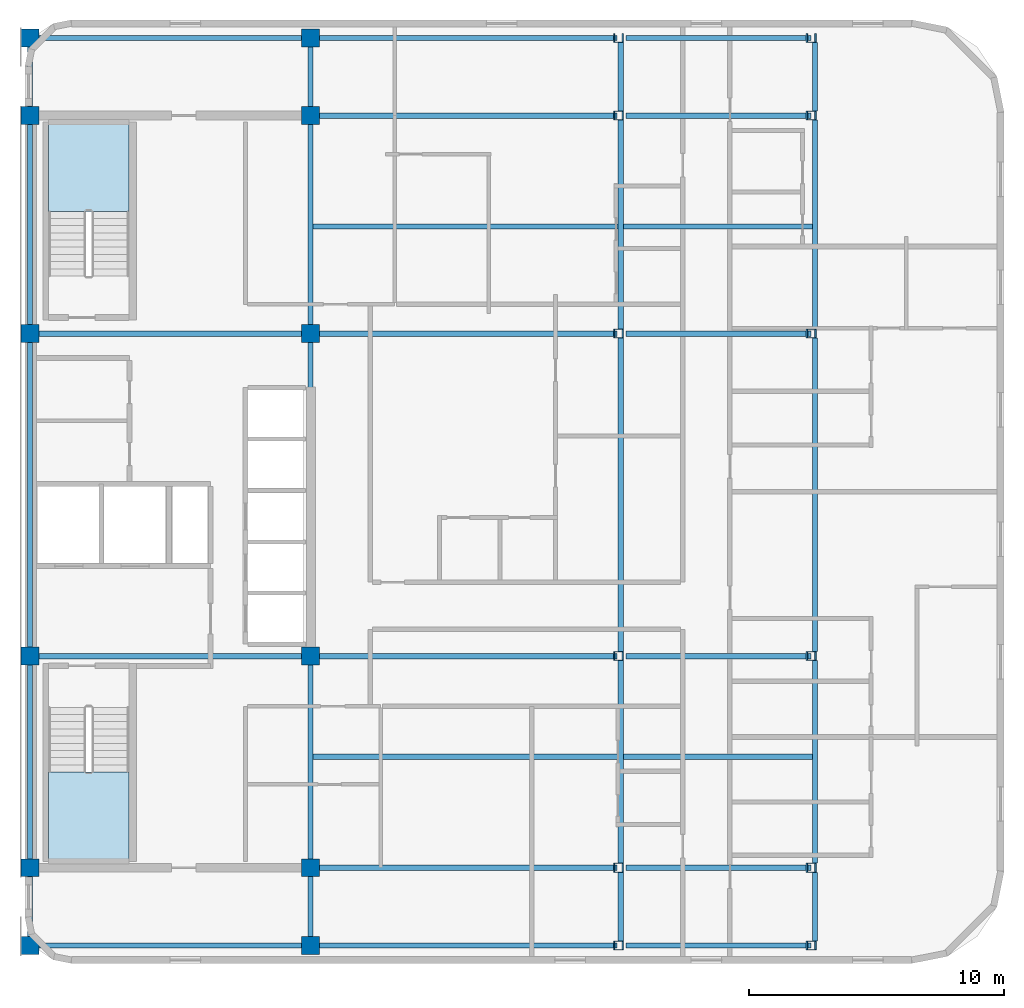
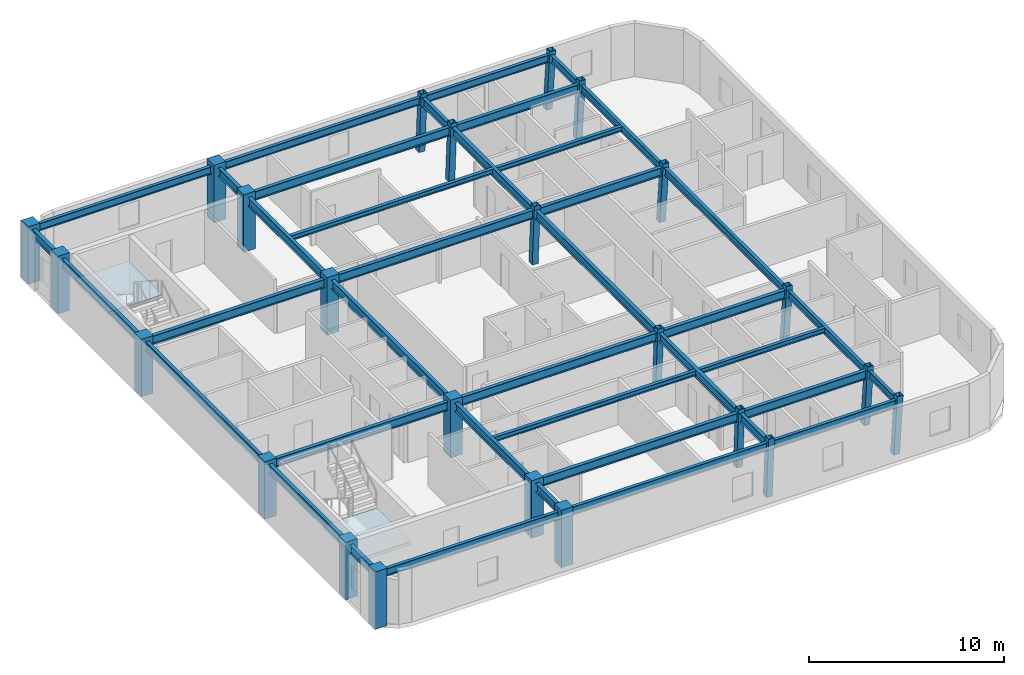
# One storey, part 1 of 7: 40 beams, 24 columns, 2 slabs, 2 elements without a shape of their own.
"""IFC4 building model written with IfcOpenShell, lengths in metres."""

from ifc_helpers import new_model, si_unit, direction, frame, origin, origin_2d, place, context, subcontext, project, spatial, polyline, rectangle, hollow_rectangle, i_section, outline, extrude, material, layer, layer_set, material_profile, profile_set, type_object, element, aggregate, save


model = new_model("IFC4")

# Units and contexts
model_context = context("Model", 3, precision=1e-05, world=origin(), true_north=direction((0.0, 1.0)))
body_context = subcontext(model_context, "Body", "Model", "MODEL_VIEW")
ifc_project = project(units=[si_unit("LENGTHUNIT", "METRE"), si_unit("AREAUNIT", "SQUARE_METRE"), si_unit("VOLUMEUNIT", "CUBIC_METRE"), si_unit("PLANEANGLEUNIT", "RADIAN"), si_unit("MASSUNIT", "GRAM", prefix="KILO")], contexts=[model_context])

# Site, building, storey
site_placement = place(None, origin())
site = spatial("IfcSite", under=ifc_project, at=site_placement, CompositionType="ELEMENT")
building_placement = place(site_placement, origin())
building = spatial("IfcBuilding", under=site, at=building_placement, Name="Ochreholt Gables", CompositionType="ELEMENT")
storey_placement = place(building_placement, frame((0.0, 0.0, 209.39990234375)))
storey = spatial("IfcBuildingStorey", under=building, at=storey_placement, Name="L54", CompositionType="ELEMENT", Elevation=209.39990234375)

# Columns
ifc_material_1 = material(Name="Steel CSA G40.21 350W", Category="steel")
ifc_material_profile_1 = material_profile(ifc_material_1, hollow_rectangle(XDim=0.35595703125, YDim=0.35595703125, WallThickness=0.01611328125, at=origin_2d()), Name="HSS356X356X16")
ifc_profile_set_1 = profile_set([ifc_material_profile_1], Name="Steel CSA G40.21 350W")
column_type_1 = type_object("IfcColumnType", Name="COL-HSS356-RAK", PredefinedType="COLUMN", material=ifc_profile_set_1)
for number, where, z_axis, x_axis, name in (
    (1, (47.264892578125, 9.25, 0.0), (0.035038826602, 0.0, 0.999385951788), (0.0, 1.0, 0.0), "L54 Column EMY2"),
    (2, (47.264892578125, 17.550048828125, 0.0), (0.035038826602, 0.0, 0.999385951788), (0.0, 1.0, 0.0), "L54 Column EMY3"),
    (3, (47.264892578125, 30.199951171875, 0.0), (0.035038826602, 0.0, 0.999385951788), (0.0, 1.0, 0.0), "L54 Column EMY4"),
    (4, (47.264892578125, 38.75, 0.0), (0.035038826602, 0.0, 0.999385951788), (0.0, 1.0, 0.0), "L54 Column EMY5"),
):
    element("IfcColumn", number, at=place(storey_placement, frame(where, z_axis=z_axis, x_axis=x_axis)), inside=storey, type_object=column_type_1, Name=name, PredefinedType="COLUMN", context=body_context, shape_type="SweptSolid", body=[
        extrude(hollow_rectangle(XDim=0.35595703125, YDim=0.35595703125, WallThickness=0.01611328125, at=origin_2d()), origin(), (0.0, 0.0, 1.0), 3.602294921875),
    ])
ifc_material_profile_2 = material_profile(ifc_material_1, hollow_rectangle(XDim=0.35595703125, YDim=0.35595703125, WallThickness=0.01611328125, at=origin_2d()), Name="HSS356X356X16")
ifc_profile_set_2 = profile_set([ifc_material_profile_2], Name="Steel CSA G40.21 350W")
column_type_2 = type_object("IfcColumnType", Name="COL-HSS356-RAKE", PredefinedType="COLUMN", material=ifc_profile_set_2)
for number, where, z_axis, x_axis, name in (
    (5, (47.264892578125, 6.199951171875, 0.0), (0.035038826602, 0.0, 0.999385951788), (0.0, 1.0, 0.0), "L54 Column EMY1"),
    (6, (47.264892578125, 41.800048828125, 0.0), (0.035038826602, 0.0, 0.999385951788), (0.0, 1.0, 0.0), "L54 Column EMY6"),
):
    element("IfcColumn", number, at=place(storey_placement, frame(where, z_axis=z_axis, x_axis=x_axis)), inside=storey, type_object=column_type_2, Name=name, PredefinedType="COLUMN", context=body_context, shape_type="SweptSolid", body=[
        extrude(hollow_rectangle(XDim=0.35595703125, YDim=0.35595703125, WallThickness=0.01611328125, at=origin_2d()), origin(), (0.0, 0.0, 1.0), 3.602294921875),
    ])
for number, where, z_axis, x_axis, name in (
    (7, (54.802001953125, 6.199951171875, 0.0), (0.057884606321, 0.0, 0.998323280481), (0.0, 1.0, 0.0), "L54 Column EEY1"),
    (8, (54.802001953125, 9.25, 0.0), (0.057884606321, 0.0, 0.998323280481), (0.0, 1.0, 0.0), "L54 Column EEY2"),
    (9, (54.802001953125, 17.550048828125, 0.0), (0.057884606321, 0.0, 0.998323280481), (0.0, 1.0, 0.0), "L54 Column EEY3"),
    (10, (54.802001953125, 30.199951171875, 0.0), (0.057884606321, 0.0, 0.998323280481), (0.0, 1.0, 0.0), "L54 Column EEY4"),
    (11, (54.802001953125, 38.75, 0.0), (0.057884606321, 0.0, 0.998323280481), (0.0, 1.0, 0.0), "L54 Column EEY5"),
    (12, (54.802001953125, 41.800048828125, 0.0), (0.057884606321, 0.0, 0.998323280481), (0.0, 1.0, 0.0), "L54 Column EEY6"),
):
    element("IfcColumn", number, at=place(storey_placement, frame(where, z_axis=z_axis, x_axis=x_axis)), inside=storey, type_object=column_type_2, Name=name, PredefinedType="COLUMN", context=body_context, shape_type="SweptSolid", body=[
        extrude(hollow_rectangle(XDim=0.35595703125, YDim=0.35595703125, WallThickness=0.01611328125, at=origin_2d()), origin(), (0.0, 0.0, 1.0), 3.606201171875),
    ])
ifc_material_2 = material(Name="Concrete 50 MPa", Category="concrete")
ifc_material_profile_3 = material_profile(ifc_material_2, rectangle(XDim=0.699951171875, YDim=0.699951171875, at=origin_2d()), Name="RC700X700")
ifc_profile_set_3 = profile_set([ifc_material_profile_3], Name="Concrete 50 MPa")
column_type_3 = type_object("IfcColumnType", Name="COL-RC700-EXT", PredefinedType="COLUMN", material=ifc_profile_set_3)
for number, where, z_axis, x_axis, name in (
    (13, (24.199951171875, 6.199951171875, 0.0), (0.0, 0.0, 1.0), (1.0, 0.0, 0.0), "L54 Column C1Y1"),
    (14, (24.199951171875, 9.25, 0.0), (0.0, 0.0, 1.0), (1.0, 0.0, 0.0), "L54 Column C1Y2"),
    (15, (24.199951171875, 17.550048828125, 0.0), (0.0, 0.0, 1.0), (1.0, 0.0, 0.0), "L54 Column C1Y3"),
    (16, (24.199951171875, 30.199951171875, 0.0), (0.0, 0.0, 1.0), (1.0, 0.0, 0.0), "L54 Column C1Y4"),
    (17, (24.199951171875, 38.75, 0.0), (0.0, 0.0, 1.0), (1.0, 0.0, 0.0), "L54 Column C1Y5"),
    (18, (24.199951171875, 41.800048828125, 0.0), (0.0, 0.0, 1.0), (1.0, 0.0, 0.0), "L54 Column C1Y6"),
    (19, (35.199951171875, 6.199951171875, 0.0), (0.0, 0.0, 1.0), (1.0, 0.0, 0.0), "L54 Column C2Y1"),
    (20, (35.199951171875, 41.800048828125, 0.0), (0.0, 0.0, 1.0), (1.0, 0.0, 0.0), "L54 Column C2Y6"),
):
    element("IfcColumn", number, at=place(storey_placement, frame(where, z_axis=z_axis, x_axis=x_axis)), inside=storey, type_object=column_type_3, Name=name, PredefinedType="COLUMN", context=body_context, shape_type="SweptSolid", body=[
        extrude(rectangle(XDim=0.699951171875, YDim=0.699951171875, at=origin_2d()), origin(), (0.0, 0.0, 1.0), 3.60009765625),
    ])
ifc_material_profile_4 = material_profile(ifc_material_2, rectangle(XDim=0.699951171875, YDim=0.699951171875, at=origin_2d()), Name="RC700X700")
ifc_profile_set_4 = profile_set([ifc_material_profile_4], Name="Concrete 50 MPa")
column_type_4 = type_object("IfcColumnType", Name="COL-RC700-INT", PredefinedType="COLUMN", material=ifc_profile_set_4)
for number, where, z_axis, x_axis, name in (
    (21, (35.199951171875, 9.25, 0.0), (0.0, 0.0, 1.0), (1.0, 0.0, 0.0), "L54 Column C2Y2"),
    (22, (35.199951171875, 17.550048828125, 0.0), (0.0, 0.0, 1.0), (1.0, 0.0, 0.0), "L54 Column C2Y3"),
    (23, (35.199951171875, 30.199951171875, 0.0), (0.0, 0.0, 1.0), (1.0, 0.0, 0.0), "L54 Column C2Y4"),
    (24, (35.199951171875, 38.75, 0.0), (0.0, 0.0, 1.0), (1.0, 0.0, 0.0), "L54 Column C2Y5"),
):
    element("IfcColumn", number, at=place(storey_placement, frame(where, z_axis=z_axis, x_axis=x_axis)), inside=storey, type_object=column_type_4, Name=name, PredefinedType="COLUMN", context=body_context, shape_type="SweptSolid", body=[
        extrude(rectangle(XDim=0.699951171875, YDim=0.699951171875, at=origin_2d()), origin(), (0.0, 0.0, 1.0), 3.60009765625),
    ])

# Beams
ifc_material_profile_5 = material_profile(ifc_material_1, i_section(OverallWidth=0.2109375, OverallDepth=0.5390625, WebThickness=0.01171875, FlangeThickness=0.018798828125, at=origin_2d()), Name="W530X109")
ifc_profile_set_5 = profile_set([ifc_material_profile_5], Name="Steel CSA G40.21 350W")
beam_type_1 = type_object("IfcBeamType", Name="BM-G-W530A", PredefinedType="BEAM", material=ifc_profile_set_5)
beam_1_placement = place(storey_placement, frame((35.549560546875, 9.25, 3.090576171875), z_axis=(1.0, 0.0, 0.0), x_axis=(0.0, 1.0, 0.0)))
element("IfcBeam", 25, at=beam_1_placement, inside=storey, type_object=beam_type_1, Name="L54 Beam TBG-L54-C2EM-Y2", PredefinedType="BEAM", context=body_context, shape_type="SweptSolid", body=[
    extrude(i_section(OverallWidth=0.2109375, OverallDepth=0.5390625, WebThickness=0.01171875, FlangeThickness=0.018798828125, at=origin_2d()), origin(), (0.0, 0.0, 1.0), 11.663818359375),
])
beam_2_placement = place(storey_placement, frame((47.568603515625, 9.25, 3.090576171875), z_axis=(1.0, 0.0, 0.0), x_axis=(0.0, 1.0, 0.0)))
element("IfcBeam", 26, at=beam_2_placement, inside=storey, type_object=beam_type_1, Name="L54 Beam TBG-L54-EMEE-Y2", PredefinedType="BEAM", context=body_context, shape_type="SweptSolid", body=[
    extrude(i_section(OverallWidth=0.2109375, OverallDepth=0.5390625, WebThickness=0.01171875, FlangeThickness=0.018798828125, at=origin_2d()), origin(), (0.0, 0.0, 1.0), 7.2646484375),
])
beam_3_placement = place(storey_placement, frame((24.549560546875, 17.550048828125, 3.090576171875), z_axis=(1.0, 0.0, 0.0), x_axis=(0.0, 1.0, 0.0)))
element("IfcBeam", 27, at=beam_3_placement, inside=storey, type_object=beam_type_1, Name="L54 Beam TBG-L54-C1C2-Y3", PredefinedType="BEAM", context=body_context, shape_type="SweptSolid", body=[
    extrude(i_section(OverallWidth=0.2109375, OverallDepth=0.5390625, WebThickness=0.01171875, FlangeThickness=0.018798828125, at=origin_2d()), origin(), (0.0, 0.0, 1.0), 10.30078125),
])
beam_4_placement = place(storey_placement, frame((35.549560546875, 17.550048828125, 3.090576171875), z_axis=(1.0, 0.0, 0.0), x_axis=(0.0, 1.0, 0.0)))
element("IfcBeam", 28, at=beam_4_placement, inside=storey, type_object=beam_type_1, Name="L54 Beam TBG-L54-C2EM-Y3", PredefinedType="BEAM", context=body_context, shape_type="SweptSolid", body=[
    extrude(i_section(OverallWidth=0.2109375, OverallDepth=0.5390625, WebThickness=0.01171875, FlangeThickness=0.018798828125, at=origin_2d()), origin(), (0.0, 0.0, 1.0), 11.663818359375),
])
beam_5_placement = place(storey_placement, frame((47.568603515625, 17.550048828125, 3.090576171875), z_axis=(1.0, 0.0, 0.0), x_axis=(0.0, 1.0, 0.0)))
element("IfcBeam", 29, at=beam_5_placement, inside=storey, type_object=beam_type_1, Name="L54 Beam TBG-L54-EMEE-Y3", PredefinedType="BEAM", context=body_context, shape_type="SweptSolid", body=[
    extrude(i_section(OverallWidth=0.2109375, OverallDepth=0.5390625, WebThickness=0.01171875, FlangeThickness=0.018798828125, at=origin_2d()), origin(), (0.0, 0.0, 1.0), 7.2646484375),
])
beam_6_placement = place(storey_placement, frame((24.549560546875, 30.199951171875, 3.090576171875), z_axis=(1.0, 0.0, 0.0), x_axis=(0.0, 1.0, 0.0)))
element("IfcBeam", 30, at=beam_6_placement, inside=storey, type_object=beam_type_1, Name="L54 Beam TBG-L54-C1C2-Y4", PredefinedType="BEAM", context=body_context, shape_type="SweptSolid", body=[
    extrude(i_section(OverallWidth=0.2109375, OverallDepth=0.5390625, WebThickness=0.01171875, FlangeThickness=0.018798828125, at=origin_2d()), origin(), (0.0, 0.0, 1.0), 10.30078125),
])
beam_7_placement = place(storey_placement, frame((35.549560546875, 30.199951171875, 3.090576171875), z_axis=(1.0, 0.0, 0.0), x_axis=(0.0, 1.0, 0.0)))
element("IfcBeam", 31, at=beam_7_placement, inside=storey, type_object=beam_type_1, Name="L54 Beam TBG-L54-C2EM-Y4", PredefinedType="BEAM", context=body_context, shape_type="SweptSolid", body=[
    extrude(i_section(OverallWidth=0.2109375, OverallDepth=0.5390625, WebThickness=0.01171875, FlangeThickness=0.018798828125, at=origin_2d()), origin(), (0.0, 0.0, 1.0), 11.663818359375),
])
beam_8_placement = place(storey_placement, frame((47.568603515625, 30.199951171875, 3.090576171875), z_axis=(1.0, 0.0, 0.0), x_axis=(0.0, 1.0, 0.0)))
element("IfcBeam", 32, at=beam_8_placement, inside=storey, type_object=beam_type_1, Name="L54 Beam TBG-L54-EMEE-Y4", PredefinedType="BEAM", context=body_context, shape_type="SweptSolid", body=[
    extrude(i_section(OverallWidth=0.2109375, OverallDepth=0.5390625, WebThickness=0.01171875, FlangeThickness=0.018798828125, at=origin_2d()), origin(), (0.0, 0.0, 1.0), 7.2646484375),
])
beam_9_placement = place(storey_placement, frame((35.549560546875, 38.75, 3.090576171875), z_axis=(1.0, 0.0, 0.0), x_axis=(0.0, 1.0, 0.0)))
element("IfcBeam", 33, at=beam_9_placement, inside=storey, type_object=beam_type_1, Name="L54 Beam TBG-L54-C2EM-Y5", PredefinedType="BEAM", context=body_context, shape_type="SweptSolid", body=[
    extrude(i_section(OverallWidth=0.2109375, OverallDepth=0.5390625, WebThickness=0.01171875, FlangeThickness=0.018798828125, at=origin_2d()), origin(), (0.0, 0.0, 1.0), 11.663818359375),
])
beam_10_placement = place(storey_placement, frame((47.568603515625, 38.75, 3.090576171875), z_axis=(1.0, 0.0, 0.0), x_axis=(0.0, 1.0, 0.0)))
element("IfcBeam", 34, at=beam_10_placement, inside=storey, type_object=beam_type_1, Name="L54 Beam TBG-L54-EMEE-Y5", PredefinedType="BEAM", context=body_context, shape_type="SweptSolid", body=[
    extrude(i_section(OverallWidth=0.2109375, OverallDepth=0.5390625, WebThickness=0.01171875, FlangeThickness=0.018798828125, at=origin_2d()), origin(), (0.0, 0.0, 1.0), 7.2646484375),
])
beam_11_placement = place(storey_placement, frame((24.199951171875, 6.549560546875, 3.090576171875), z_axis=(0.0, 1.0, 0.0), x_axis=(-1.0, 0.0, 0.0)))
element("IfcBeam", 35, at=beam_11_placement, inside=storey, type_object=beam_type_1, Name="L54 Beam TBN-L54-C1-Y1Y2", PredefinedType="BEAM", context=body_context, shape_type="SweptSolid", body=[
    extrude(i_section(OverallWidth=0.2109375, OverallDepth=0.5390625, WebThickness=0.01171875, FlangeThickness=0.018798828125, at=origin_2d()), origin(), (0.0, 0.0, 1.0), 2.350830078125),
])
beam_12_placement = place(storey_placement, frame((24.199951171875, 9.599609375, 3.090576171875), z_axis=(0.0, 1.0, 0.0), x_axis=(-1.0, 0.0, 0.0)))
element("IfcBeam", 36, at=beam_12_placement, inside=storey, type_object=beam_type_1, Name="L54 Beam TBN-L54-C1-Y2Y3", PredefinedType="BEAM", context=body_context, shape_type="SweptSolid", body=[
    extrude(i_section(OverallWidth=0.2109375, OverallDepth=0.5390625, WebThickness=0.01171875, FlangeThickness=0.018798828125, at=origin_2d()), origin(), (0.0, 0.0, 1.0), 7.600830078125),
])
beam_13_placement = place(storey_placement, frame((24.199951171875, 17.899658203125, 3.090576171875), z_axis=(0.0, 1.0, 0.0), x_axis=(-1.0, 0.0, 0.0)))
element("IfcBeam", 37, at=beam_13_placement, inside=storey, type_object=beam_type_1, Name="L54 Beam TBN-L54-C1-Y3Y4", PredefinedType="BEAM", context=body_context, shape_type="SweptSolid", body=[
    extrude(i_section(OverallWidth=0.2109375, OverallDepth=0.5390625, WebThickness=0.01171875, FlangeThickness=0.018798828125, at=origin_2d()), origin(), (0.0, 0.0, 1.0), 11.95068359375),
])
beam_14_placement = place(storey_placement, frame((24.199951171875, 30.549560546875, 3.090576171875), z_axis=(0.0, 1.0, 0.0), x_axis=(-1.0, 0.0, 0.0)))
element("IfcBeam", 38, at=beam_14_placement, inside=storey, type_object=beam_type_1, Name="L54 Beam TBN-L54-C1-Y4Y5", PredefinedType="BEAM", context=body_context, shape_type="SweptSolid", body=[
    extrude(i_section(OverallWidth=0.2109375, OverallDepth=0.5390625, WebThickness=0.01171875, FlangeThickness=0.018798828125, at=origin_2d()), origin(), (0.0, 0.0, 1.0), 7.850830078125),
])
for number, where, z_axis, x_axis, name in (
    (39, (24.199951171875, 39.099609375, 3.090576171875), (0.0, 1.0, 0.0), (-1.0, 0.0, 0.0), "L54 Beam TBN-L54-C1-Y5Y6"),
    (40, (35.199951171875, 6.549560546875, 3.090576171875), (0.0, 1.0, 0.0), (-1.0, 0.0, 0.0), "L54 Beam TBN-L54-C2-Y1Y2"),
):
    element("IfcBeam", number, at=place(storey_placement, frame(where, z_axis=z_axis, x_axis=x_axis)), inside=storey, type_object=beam_type_1, Name=name, PredefinedType="BEAM", context=body_context, shape_type="SweptSolid", body=[
        extrude(i_section(OverallWidth=0.2109375, OverallDepth=0.5390625, WebThickness=0.01171875, FlangeThickness=0.018798828125, at=origin_2d()), origin(), (0.0, 0.0, 1.0), 2.350830078125),
    ])
beam_15_placement = place(storey_placement, frame((35.199951171875, 9.599609375, 3.090576171875), z_axis=(0.0, 1.0, 0.0), x_axis=(-1.0, 0.0, 0.0)))
element("IfcBeam", 41, at=beam_15_placement, inside=storey, type_object=beam_type_1, Name="L54 Beam TBN-L54-C2-Y2Y3", PredefinedType="BEAM", context=body_context, shape_type="SweptSolid", body=[
    extrude(i_section(OverallWidth=0.2109375, OverallDepth=0.5390625, WebThickness=0.01171875, FlangeThickness=0.018798828125, at=origin_2d()), origin(), (0.0, 0.0, 1.0), 7.600830078125),
])
beam_16_placement = place(storey_placement, frame((35.199951171875, 17.899658203125, 3.090576171875), z_axis=(0.0, 1.0, 0.0), x_axis=(-1.0, 0.0, 0.0)))
element("IfcBeam", 42, at=beam_16_placement, inside=storey, type_object=beam_type_1, Name="L54 Beam TBN-L54-C2-Y3Y4", PredefinedType="BEAM", context=body_context, shape_type="SweptSolid", body=[
    extrude(i_section(OverallWidth=0.2109375, OverallDepth=0.5390625, WebThickness=0.01171875, FlangeThickness=0.018798828125, at=origin_2d()), origin(), (0.0, 0.0, 1.0), 11.95068359375),
])
beam_17_placement = place(storey_placement, frame((35.199951171875, 30.549560546875, 3.090576171875), z_axis=(0.0, 1.0, 0.0), x_axis=(-1.0, 0.0, 0.0)))
element("IfcBeam", 43, at=beam_17_placement, inside=storey, type_object=beam_type_1, Name="L54 Beam TBN-L54-C2-Y4Y5", PredefinedType="BEAM", context=body_context, shape_type="SweptSolid", body=[
    extrude(i_section(OverallWidth=0.2109375, OverallDepth=0.5390625, WebThickness=0.01171875, FlangeThickness=0.018798828125, at=origin_2d()), origin(), (0.0, 0.0, 1.0), 7.850830078125),
])
beam_18_placement = place(storey_placement, frame((35.199951171875, 39.099609375, 3.090576171875), z_axis=(0.0, 1.0, 0.0), x_axis=(-1.0, 0.0, 0.0)))
element("IfcBeam", 44, at=beam_18_placement, inside=storey, type_object=beam_type_1, Name="L54 Beam TBN-L54-C2-Y5Y6", PredefinedType="BEAM", context=body_context, shape_type="SweptSolid", body=[
    extrude(i_section(OverallWidth=0.2109375, OverallDepth=0.5390625, WebThickness=0.01171875, FlangeThickness=0.018798828125, at=origin_2d()), origin(), (0.0, 0.0, 1.0), 2.350830078125),
])
beam_19_placement = place(storey_placement, frame((47.373779296875, 6.377685546875, 3.090576171875), z_axis=(0.0, 1.0, 0.0), x_axis=(-1.0, 0.0, 0.0)))
element("IfcBeam", 45, at=beam_19_placement, inside=storey, type_object=beam_type_1, Name="L54 Beam TBN-L54-EM-Y1Y2", PredefinedType="BEAM", context=body_context, shape_type="SweptSolid", body=[
    extrude(i_section(OverallWidth=0.2109375, OverallDepth=0.5390625, WebThickness=0.01171875, FlangeThickness=0.018798828125, at=origin_2d()), origin(), (0.0, 0.0, 1.0), 2.69482421875),
])
beam_20_placement = place(storey_placement, frame((47.373779296875, 9.427490234375, 3.090576171875), z_axis=(0.0, 1.0, 0.0), x_axis=(-1.0, 0.0, 0.0)))
element("IfcBeam", 46, at=beam_20_placement, inside=storey, type_object=beam_type_1, Name="L54 Beam TBN-L54-EM-Y2Y3", PredefinedType="BEAM", context=body_context, shape_type="SweptSolid", body=[
    extrude(i_section(OverallWidth=0.2109375, OverallDepth=0.5390625, WebThickness=0.01171875, FlangeThickness=0.018798828125, at=origin_2d()), origin(), (0.0, 0.0, 1.0), 7.94482421875),
])
beam_21_placement = place(storey_placement, frame((47.373779296875, 17.7275390625, 3.090576171875), z_axis=(0.0, 1.0, 0.0), x_axis=(-1.0, 0.0, 0.0)))
element("IfcBeam", 47, at=beam_21_placement, inside=storey, type_object=beam_type_1, Name="L54 Beam TBN-L54-EM-Y3Y4", PredefinedType="BEAM", context=body_context, shape_type="SweptSolid", body=[
    extrude(i_section(OverallWidth=0.2109375, OverallDepth=0.5390625, WebThickness=0.01171875, FlangeThickness=0.018798828125, at=origin_2d()), origin(), (0.0, 0.0, 1.0), 12.294921875),
])
beam_22_placement = place(storey_placement, frame((47.373779296875, 30.377685546875, 3.090576171875), z_axis=(0.0, 1.0, 0.0), x_axis=(-1.0, 0.0, 0.0)))
element("IfcBeam", 48, at=beam_22_placement, inside=storey, type_object=beam_type_1, Name="L54 Beam TBN-L54-EM-Y4Y5", PredefinedType="BEAM", context=body_context, shape_type="SweptSolid", body=[
    extrude(i_section(OverallWidth=0.2109375, OverallDepth=0.5390625, WebThickness=0.01171875, FlangeThickness=0.018798828125, at=origin_2d()), origin(), (0.0, 0.0, 1.0), 8.19482421875),
])
beam_23_placement = place(storey_placement, frame((47.373779296875, 38.927490234375, 3.090576171875), z_axis=(0.0, 1.0, 0.0), x_axis=(-1.0, 0.0, 0.0)))
element("IfcBeam", 49, at=beam_23_placement, inside=storey, type_object=beam_type_1, Name="L54 Beam TBN-L54-EM-Y5Y6", PredefinedType="BEAM", context=body_context, shape_type="SweptSolid", body=[
    extrude(i_section(OverallWidth=0.2109375, OverallDepth=0.5390625, WebThickness=0.01171875, FlangeThickness=0.018798828125, at=origin_2d()), origin(), (0.0, 0.0, 1.0), 2.69482421875),
])
ifc_material_profile_6 = material_profile(ifc_material_1, i_section(OverallWidth=0.202880859375, OverallDepth=0.302978515625, WebThickness=0.007568359375, FlangeThickness=0.01318359375, at=origin_2d()), Name="W310X60")
ifc_profile_set_6 = profile_set([ifc_material_profile_6], Name="Steel CSA G40.21 350W")
beam_type_2 = type_object("IfcBeamType", Name="BM-J-W310", PredefinedType="JOIST", material=ifc_profile_set_6)
beam_24_placement = place(storey_placement, frame((35.30517578125, 13.60009765625, 3.20849609375), z_axis=(1.0, 0.0, 0.0), x_axis=(0.0, 1.0, 0.0)))
element("IfcBeam", 50, at=beam_24_placement, inside=storey, type_object=beam_type_2, Name="L54 Beam TBJ-L54-J1-C2EM", PredefinedType="JOIST", context=body_context, shape_type="SweptSolid", body=[
    extrude(i_section(OverallWidth=0.202880859375, OverallDepth=0.302978515625, WebThickness=0.007568359375, FlangeThickness=0.01318359375, at=origin_2d()), origin(), (0.0, 0.0, 1.0), 11.963623046875),
])
beam_25_placement = place(storey_placement, frame((47.47900390625, 13.60009765625, 3.20849609375), z_axis=(1.0, 0.0, 0.0), x_axis=(0.0, 1.0, 0.0)))
element("IfcBeam", 51, at=beam_25_placement, inside=storey, type_object=beam_type_2, Name="L54 Beam TBJ-L54-J1-EMEE", PredefinedType="JOIST", context=body_context, shape_type="SweptSolid", body=[
    extrude(i_section(OverallWidth=0.202880859375, OverallDepth=0.302978515625, WebThickness=0.007568359375, FlangeThickness=0.01318359375, at=origin_2d()), origin(), (0.0, 0.0, 1.0), 7.40771484375),
])
beam_26_placement = place(storey_placement, frame((35.30517578125, 34.39990234375, 3.20849609375), z_axis=(1.0, 0.0, 0.0), x_axis=(0.0, 1.0, 0.0)))
element("IfcBeam", 52, at=beam_26_placement, inside=storey, type_object=beam_type_2, Name="L54 Beam TBJ-L54-J2-C2EM", PredefinedType="JOIST", context=body_context, shape_type="SweptSolid", body=[
    extrude(i_section(OverallWidth=0.202880859375, OverallDepth=0.302978515625, WebThickness=0.007568359375, FlangeThickness=0.01318359375, at=origin_2d()), origin(), (0.0, 0.0, 1.0), 11.963623046875),
])
beam_27_placement = place(storey_placement, frame((47.47900390625, 34.39990234375, 3.20849609375), z_axis=(1.0, 0.0, 0.0), x_axis=(0.0, 1.0, 0.0)))
element("IfcBeam", 53, at=beam_27_placement, inside=storey, type_object=beam_type_2, Name="L54 Beam TBJ-L54-J2-EMEE", PredefinedType="JOIST", context=body_context, shape_type="SweptSolid", body=[
    extrude(i_section(OverallWidth=0.202880859375, OverallDepth=0.302978515625, WebThickness=0.007568359375, FlangeThickness=0.01318359375, at=origin_2d()), origin(), (0.0, 0.0, 1.0), 7.40771484375),
])
ifc_material_profile_7 = material_profile(ifc_material_1, i_section(OverallWidth=0.19189453125, OverallDepth=0.462890625, WebThickness=0.010498046875, FlangeThickness=0.017578125, at=origin_2d()), Name="W460X89")
ifc_profile_set_7 = profile_set([ifc_material_profile_7], Name="Steel CSA G40.21 350W")
beam_type_3 = type_object("IfcBeamType", Name="BM-SP-W460A", PredefinedType="SPANDREL", material=ifc_profile_set_7)
beam_28_placement = place(storey_placement, frame((24.549560546875, 6.199951171875, 3.128662109375), z_axis=(1.0, 0.0, 0.0), x_axis=(0.0, 1.0, 0.0)))
element("IfcBeam", 54, at=beam_28_placement, inside=storey, type_object=beam_type_3, Name="L54 Beam TBG-L54-C1C2-Y1", PredefinedType="SPANDREL", context=body_context, shape_type="SweptSolid", body=[
    extrude(i_section(OverallWidth=0.19189453125, OverallDepth=0.462890625, WebThickness=0.010498046875, FlangeThickness=0.017578125, at=origin_2d()), origin(), (0.0, 0.0, 1.0), 10.30078125),
])
beam_29_placement = place(storey_placement, frame((35.549560546875, 6.199951171875, 3.128662109375), z_axis=(1.0, 0.0, 0.0), x_axis=(0.0, 1.0, 0.0)))
element("IfcBeam", 55, at=beam_29_placement, inside=storey, type_object=beam_type_3, Name="L54 Beam TBG-L54-C2EM-Y1", PredefinedType="SPANDREL", context=body_context, shape_type="SweptSolid", body=[
    extrude(i_section(OverallWidth=0.19189453125, OverallDepth=0.462890625, WebThickness=0.010498046875, FlangeThickness=0.017578125, at=origin_2d()), origin(), (0.0, 0.0, 1.0), 11.663818359375),
])
beam_30_placement = place(storey_placement, frame((47.568603515625, 6.199951171875, 3.128662109375), z_axis=(1.0, 0.0, 0.0), x_axis=(0.0, 1.0, 0.0)))
element("IfcBeam", 56, at=beam_30_placement, inside=storey, type_object=beam_type_3, Name="L54 Beam TBG-L54-EMEE-Y1", PredefinedType="SPANDREL", context=body_context, shape_type="SweptSolid", body=[
    extrude(i_section(OverallWidth=0.19189453125, OverallDepth=0.462890625, WebThickness=0.010498046875, FlangeThickness=0.017578125, at=origin_2d()), origin(), (0.0, 0.0, 1.0), 7.2646484375),
])
beam_31_placement = place(storey_placement, frame((24.549560546875, 41.800048828125, 3.128662109375), z_axis=(1.0, 0.0, 0.0), x_axis=(0.0, 1.0, 0.0)))
element("IfcBeam", 57, at=beam_31_placement, inside=storey, type_object=beam_type_3, Name="L54 Beam TBG-L54-C1C2-Y6", PredefinedType="SPANDREL", context=body_context, shape_type="SweptSolid", body=[
    extrude(i_section(OverallWidth=0.19189453125, OverallDepth=0.462890625, WebThickness=0.010498046875, FlangeThickness=0.017578125, at=origin_2d()), origin(), (0.0, 0.0, 1.0), 10.30078125),
])
beam_32_placement = place(storey_placement, frame((35.549560546875, 41.800048828125, 3.128662109375), z_axis=(1.0, 0.0, 0.0), x_axis=(0.0, 1.0, 0.0)))
element("IfcBeam", 58, at=beam_32_placement, inside=storey, type_object=beam_type_3, Name="L54 Beam TBG-L54-C2EM-Y6", PredefinedType="SPANDREL", context=body_context, shape_type="SweptSolid", body=[
    extrude(i_section(OverallWidth=0.19189453125, OverallDepth=0.462890625, WebThickness=0.010498046875, FlangeThickness=0.017578125, at=origin_2d()), origin(), (0.0, 0.0, 1.0), 11.663818359375),
])
beam_33_placement = place(storey_placement, frame((47.568603515625, 41.800048828125, 3.128662109375), z_axis=(1.0, 0.0, 0.0), x_axis=(0.0, 1.0, 0.0)))
element("IfcBeam", 59, at=beam_33_placement, inside=storey, type_object=beam_type_3, Name="L54 Beam TBG-L54-EMEE-Y6", PredefinedType="SPANDREL", context=body_context, shape_type="SweptSolid", body=[
    extrude(i_section(OverallWidth=0.19189453125, OverallDepth=0.462890625, WebThickness=0.010498046875, FlangeThickness=0.017578125, at=origin_2d()), origin(), (0.0, 0.0, 1.0), 7.2646484375),
])
beam_34_placement = place(storey_placement, frame((54.982421875, 6.377685546875, 3.128662109375), z_axis=(0.0, 1.0, 0.0), x_axis=(-1.0, 0.0, 0.0)))
element("IfcBeam", 60, at=beam_34_placement, inside=storey, type_object=beam_type_3, Name="L54 Beam TBN-L54-EE-Y1Y2", PredefinedType="SPANDREL", context=body_context, shape_type="SweptSolid", body=[
    extrude(i_section(OverallWidth=0.19189453125, OverallDepth=0.462890625, WebThickness=0.010498046875, FlangeThickness=0.017578125, at=origin_2d()), origin(), (0.0, 0.0, 1.0), 2.69482421875),
])
beam_35_placement = place(storey_placement, frame((54.982421875, 9.427490234375, 3.128662109375), z_axis=(0.0, 1.0, 0.0), x_axis=(-1.0, 0.0, 0.0)))
element("IfcBeam", 61, at=beam_35_placement, inside=storey, type_object=beam_type_3, Name="L54 Beam TBN-L54-EE-Y2Y3", PredefinedType="SPANDREL", context=body_context, shape_type="SweptSolid", body=[
    extrude(i_section(OverallWidth=0.19189453125, OverallDepth=0.462890625, WebThickness=0.010498046875, FlangeThickness=0.017578125, at=origin_2d()), origin(), (0.0, 0.0, 1.0), 7.94482421875),
])
beam_36_placement = place(storey_placement, frame((54.982421875, 17.7275390625, 3.128662109375), z_axis=(0.0, 1.0, 0.0), x_axis=(-1.0, 0.0, 0.0)))
element("IfcBeam", 62, at=beam_36_placement, inside=storey, type_object=beam_type_3, Name="L54 Beam TBN-L54-EE-Y3Y4", PredefinedType="SPANDREL", context=body_context, shape_type="SweptSolid", body=[
    extrude(i_section(OverallWidth=0.19189453125, OverallDepth=0.462890625, WebThickness=0.010498046875, FlangeThickness=0.017578125, at=origin_2d()), origin(), (0.0, 0.0, 1.0), 12.294921875),
])
beam_37_placement = place(storey_placement, frame((54.982421875, 30.377685546875, 3.128662109375), z_axis=(0.0, 1.0, 0.0), x_axis=(-1.0, 0.0, 0.0)))
element("IfcBeam", 63, at=beam_37_placement, inside=storey, type_object=beam_type_3, Name="L54 Beam TBN-L54-EE-Y4Y5", PredefinedType="SPANDREL", context=body_context, shape_type="SweptSolid", body=[
    extrude(i_section(OverallWidth=0.19189453125, OverallDepth=0.462890625, WebThickness=0.010498046875, FlangeThickness=0.017578125, at=origin_2d()), origin(), (0.0, 0.0, 1.0), 8.19482421875),
])
beam_38_placement = place(storey_placement, frame((54.982421875, 38.927490234375, 3.128662109375), z_axis=(0.0, 1.0, 0.0), x_axis=(-1.0, 0.0, 0.0)))
element("IfcBeam", 64, at=beam_38_placement, inside=storey, type_object=beam_type_3, Name="L54 Beam TBN-L54-EE-Y5Y6", PredefinedType="SPANDREL", context=body_context, shape_type="SweptSolid", body=[
    extrude(i_section(OverallWidth=0.19189453125, OverallDepth=0.462890625, WebThickness=0.010498046875, FlangeThickness=0.017578125, at=origin_2d()), origin(), (0.0, 0.0, 1.0), 2.69482421875),
])

# Stair, slab
ifc_material_3 = material(Name="Concrete 40 MPa", Category="concrete")
stair_type_1 = type_object("IfcStairType", Name="STAIR-CORE-ST-1", PredefinedType="HALF_TURN_STAIR", material=ifc_material_3)
stair_1_placement = place(storey_placement, origin())
stair_1 = element("IfcStair", 65, at=stair_1_placement, inside=storey, type_object=stair_type_1, Name="L54 Core Exit Stair 1", PredefinedType="HALF_TURN_STAIR")
ifc_layer = layer(ifc_material_3, 0.199951171875, Name="Concrete 40 MPa")
ifc_layer_set = layer_set([ifc_layer], Name="Concrete 40 MPa")
slab_type = type_object("IfcSlabType", Name="LANDING-RC200", PredefinedType="LANDING", material=ifc_layer_set)
slab_1_placement = place(storey_placement, frame((0.0, 0.0, 1.60009765625)))
slab_1 = element("IfcSlab", 66, at=slab_1_placement, type_object=slab_type, Name="ST-1 landing 1", PredefinedType="LANDING", context=body_context, shape_type="SweptSolid", body=[
    extrude(outline(polyline([(24.919921875, 13.001953125), (24.919921875, 9.52001953125), (28.080078125, 9.52001953125), (28.080078125, 13.001953125), (24.919921875, 13.001953125)])), origin(), (0.0, 0.0, 1.0), 0.199951171875),
])
aggregate(stair_1, [slab_1])

stair_type_2 = type_object("IfcStairType", Name="STAIR-CORE-ST-2", PredefinedType="HALF_TURN_STAIR", material=ifc_material_3)
stair_2_placement = place(storey_placement, origin())
stair_2 = element("IfcStair", 67, at=stair_2_placement, inside=storey, type_object=stair_type_2, Name="L54 Core Exit Stair 2", PredefinedType="HALF_TURN_STAIR")
slab_2_placement = place(storey_placement, frame((0.0, 0.0, 1.60009765625)))
slab_2 = element("IfcSlab", 68, at=slab_2_placement, type_object=slab_type, Name="ST-2 landing 1", PredefinedType="LANDING", context=body_context, shape_type="SweptSolid", body=[
    extrude(outline(polyline([(28.080078125, 34.998046875), (28.080078125, 38.47998046875), (24.919921875, 38.47998046875), (24.919921875, 34.998046875), (28.080078125, 34.998046875)])), origin(), (0.0, 0.0, 1.0), 0.199951171875),
])
aggregate(stair_2, [slab_2])

save(model, "model.ifc")
